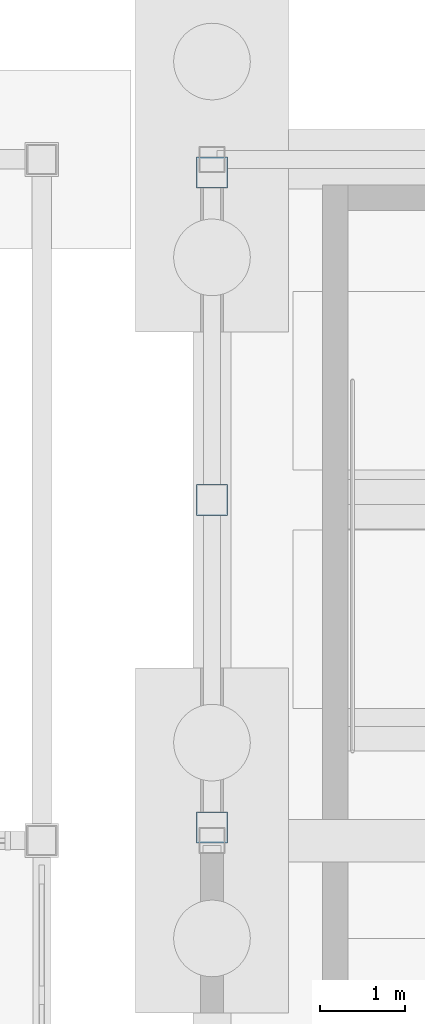
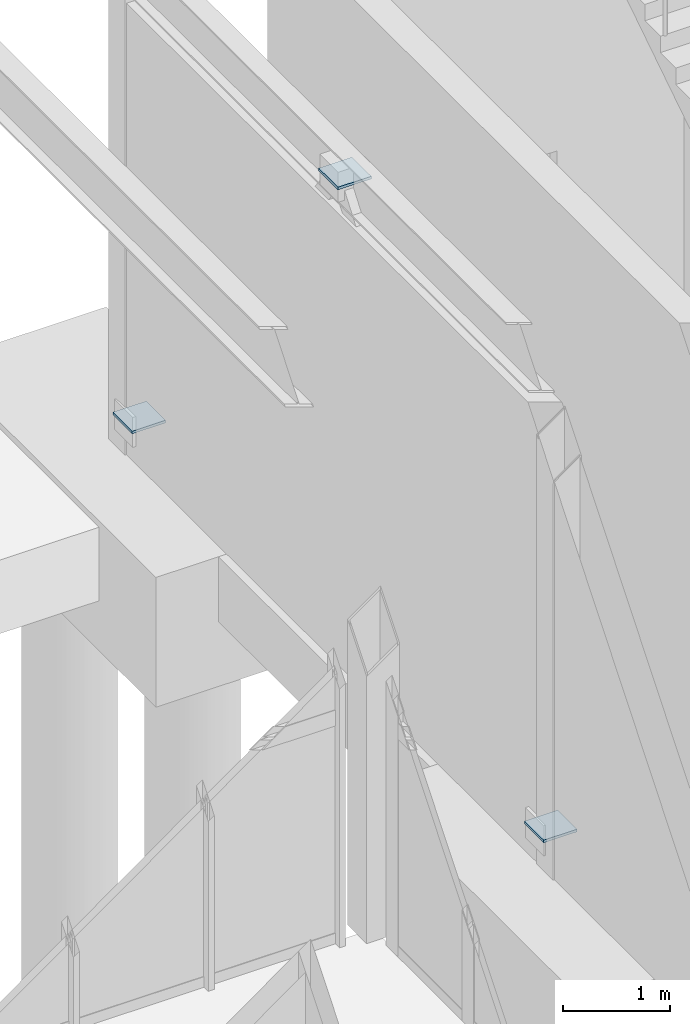
# One storey, part 57 of 82: 3 plates.
"""IFC4 building model written with IfcOpenShell, lengths in metres."""

from ifc_helpers import new_model, si_unit, direction, frame, origin, origin_2d, place, context, subcontext, project, spatial, rectangle, extrude, material, layer, layer_set, type_object, element, save


model = new_model("IFC4")

# Units and contexts
model_context = context("Model", 3, precision=1e-05, world=origin(), true_north=direction((0.0, 1.0)))
body_context = subcontext(model_context, "Body", "Model", "MODEL_VIEW")
ifc_project = project(units=[si_unit("LENGTHUNIT", "METRE"), si_unit("AREAUNIT", "SQUARE_METRE"), si_unit("VOLUMEUNIT", "CUBIC_METRE"), si_unit("PLANEANGLEUNIT", "RADIAN"), si_unit("MASSUNIT", "GRAM", prefix="KILO")], contexts=[model_context])

# Site, building, storey
site_placement = place(None, origin())
site = spatial("IfcSite", under=ifc_project, at=site_placement, CompositionType="ELEMENT")
building_placement = place(site_placement, origin())
building = spatial("IfcBuilding", under=site, at=building_placement, Name="Drelvath Fold Interchange", CompositionType="ELEMENT")
storey_placement = place(building_placement, origin())
storey = spatial("IfcBuildingStorey", under=building, at=storey_placement, Name="L00", CompositionType="ELEMENT", Elevation=0.0)

# Plates
ifc_material = material(Name="Steel ASTM A572 Grade 50", Category="steel")
ifc_layer = layer(ifc_material, 0.030029296875, Name="Steel ASTM A572 Grade 50")
ifc_layer_set = layer_set([ifc_layer], Name="Steel ASTM A572 Grade 50")
plate_type = type_object("IfcPlateType", Name="SN-04", PredefinedType="SHEET", material=ifc_layer_set)
for number, where, z_axis, x_axis, name in (
    (1, (102.0, 103.0, 5.47607421875), (0.0, 0.0, 1.0), (1.0, 0.0, 0.0), "Braced frame chevron apex gusset SN-04"),
    (2, (102.0, 99.153076171875, 0.35986328125), (0.0, 0.0, 1.0), (1.0, 0.0, 0.0), "Braced frame column base gusset SN-04"),
    (3, (102.0, 106.846923828125, 0.35986328125), (0.0, 0.0, 1.0), (1.0, 0.0, 0.0), "Braced frame column base gusset SN-04"),
):
    element("IfcPlate", number, at=place(storey_placement, frame(where, z_axis=z_axis, x_axis=x_axis)), inside=storey, type_object=plate_type, Name=name, PredefinedType="SHEET", context=body_context, shape_type="SweptSolid", body=[
        extrude(rectangle(XDim=0.360107421875, YDim=0.360107421875, at=origin_2d()), origin(), (0.0, 0.0, 1.0), 0.030029296875),
    ])

save(model, "model.ifc")
